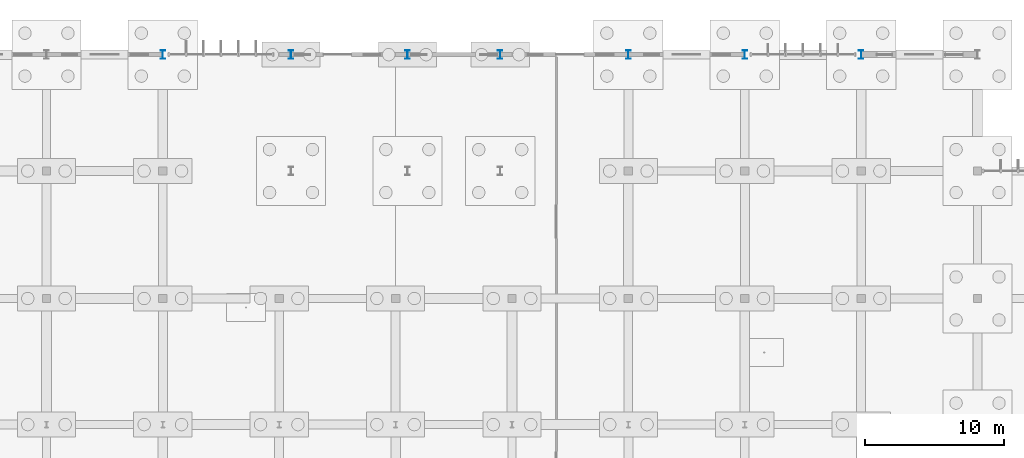
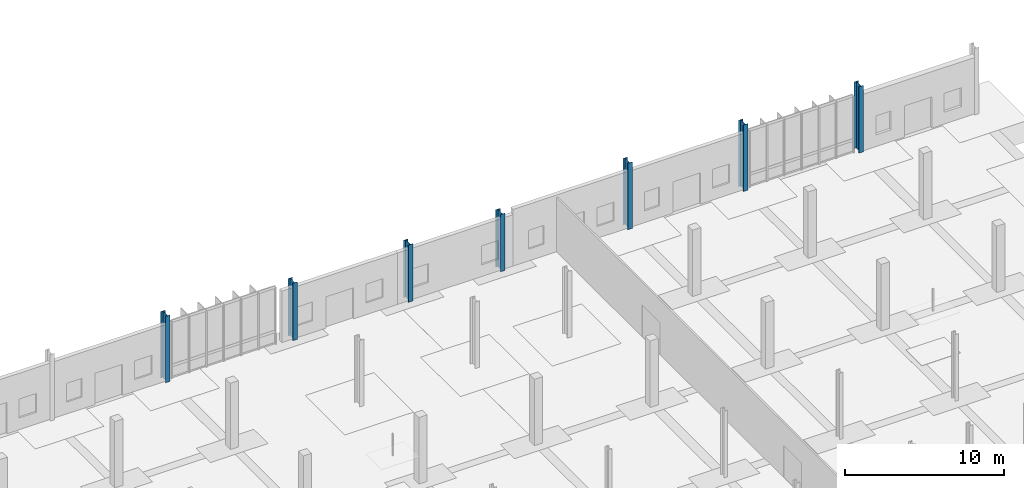
# One storey, part 23 of 119: 7 columns.
"""IFC4 building model written with IfcOpenShell, lengths in metres."""

from ifc_helpers import new_model, si_unit, derived_unit, direction, frame, origin, origin_2d, place, context, subcontext, project, spatial, i_section, extrude, material, material_profile, profile_set, type_object, element, save


model = new_model("IFC4")

# Units and contexts
model_context = context("Model", 3, precision=1e-05, world=origin(), true_north=direction((0.0, 1.0)))
body_context = subcontext(model_context, "Body", "Model", "MODEL_VIEW")
ifc_project = project(units=[si_unit("LENGTHUNIT", "METRE"), si_unit("AREAUNIT", "SQUARE_METRE"), si_unit("VOLUMEUNIT", "CUBIC_METRE"), si_unit("PLANEANGLEUNIT", "RADIAN"), si_unit("MASSUNIT", "GRAM", prefix="KILO"), derived_unit("THERMALTRANSMITTANCEUNIT", [(si_unit("MASSUNIT", "GRAM", prefix="KILO"), 1), (si_unit("TIMEUNIT", "SECOND"), -3), (si_unit("THERMODYNAMICTEMPERATUREUNIT", "KELVIN"), -1)])], contexts=[model_context])

# Site, building, storey
site_placement = place(None, origin())
site = spatial("IfcSite", under=ifc_project, at=site_placement, CompositionType="ELEMENT")
building_placement = place(site_placement, origin())
building = spatial("IfcBuilding", under=site, at=building_placement, Name="Makaiwela Harbour Ferry Terminal", CompositionType="ELEMENT")
storey_placement = place(building_placement, origin())
storey = spatial("IfcBuildingStorey", under=building, at=storey_placement, Name="L00", CompositionType="ELEMENT", Elevation=0.0)

# Columns
ifc_material = material(Name="Steel ASTM A992 Grade 50", Category="steel")
ifc_material_profile = material_profile(ifc_material, i_section(OverallWidth=0.327880859375, OverallDepth=0.6279296875, WebThickness=0.0166015625, FlangeThickness=0.027587890625, at=origin_2d()), Name="W24X146")
ifc_profile_set = profile_set([ifc_material_profile], Name="Steel ASTM A992 Grade 50")
column_type = type_object("IfcColumnType", Name="STR-COL-W24X146", PredefinedType="COLUMN", material=ifc_profile_set)
for number, where, z_axis, x_axis, name in (
    (1, (89.050048828125, 103.39990234375, 0.0), (0.0, 0.0, 1.0), (1.0, 0.0, 0.0), "Structural Column C-01"),
    (2, (97.449951171875, 103.39990234375, 0.0), (0.0, 0.0, 1.0), (1.0, 0.0, 0.0), "Structural Column C-01"),
    (3, (104.14990234375, 103.39990234375, 0.0), (0.0, 0.0, 1.0), (1.0, 0.0, 0.0), "Structural Column C-01"),
):
    element("IfcColumn", number, at=place(storey_placement, frame(where, z_axis=z_axis, x_axis=x_axis)), inside=storey, type_object=column_type, Name=name, PredefinedType="COLUMN", context=body_context, shape_type="SweptSolid", body=[
        extrude(i_section(OverallWidth=0.327880859375, OverallDepth=0.6279296875, WebThickness=0.0166015625, FlangeThickness=0.027587890625, at=origin_2d()), origin(), (0.0, 0.0, 1.0), 4.39990234375),
    ])
for number, where, z_axis, x_axis, name in (
    (4, (79.800048828125, 103.39990234375, 0.0), (0.0, 0.0, 1.0), (1.0, 0.0, 0.0), "Structural Column C-01"),
    (5, (113.39990234375, 103.39990234375, 0.0), (0.0, 0.0, 1.0), (1.0, 0.0, 0.0), "Structural Column C-01"),
    (6, (121.800048828125, 103.39990234375, 0.0), (0.0, 0.0, 1.0), (1.0, 0.0, 0.0), "Structural Column C-01"),
    (7, (130.199951171875, 103.39990234375, 0.0), (0.0, 0.0, 1.0), (1.0, 0.0, 0.0), "Structural Column C-01"),
):
    element("IfcColumn", number, at=place(storey_placement, frame(where, z_axis=z_axis, x_axis=x_axis)), inside=storey, type_object=column_type, Name=name, PredefinedType="COLUMN", context=body_context, shape_type="SweptSolid", body=[
        extrude(i_section(OverallWidth=0.327880859375, OverallDepth=0.6279296875, WebThickness=0.0166015625, FlangeThickness=0.027587890625, at=origin_2d()), origin(), (0.0, 0.0, 1.0), 5.10009765625),
    ])

save(model, "model.ifc")
